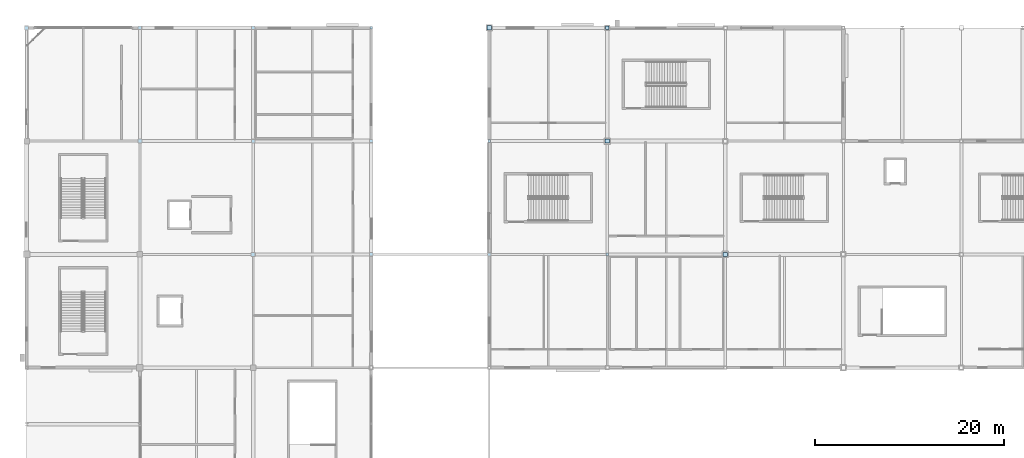
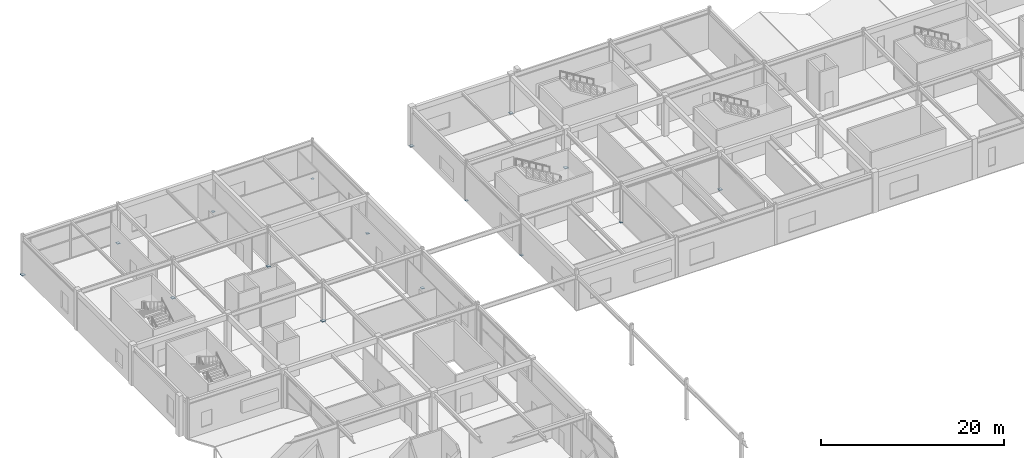
# One storey, part 69 of 105: 16 plates.
"""IFC4 building model written with IfcOpenShell, lengths in metres."""

import ifcopenshell
import ifcopenshell.guid

model = None  # the IFC model being written
_history = None  # IfcOwnerHistory: only IFC2X3 demands one
_inside = {}  # id of a spatial element -> (the spatial element, [elements in it])
_under = {}  # id of a project, library or spatial element -> (it, [spatial elements below it])
_declared = {}  # id of a project -> (the project, [libraries it declares])
_typed = {}  # id of a type object -> (the type object, [elements of that type])
_made_of = {}  # id of a material, layer set ... -> (it, [elements and type objects made of it])


def new_model(schema):
    """Start an empty IFC model of exactly this schema.

    Asked for "IFC4X3", IfcOpenShell would pick the latest addendum, in which some entities
    have other attributes; the version numbers below select the first issue.
    IFC2X3 requires an IfcOwnerHistory on every rooted entity: one is made here for all.
    """
    global model, _history
    if schema == "IFC4X3":
        model = ifcopenshell.file(schema_version=(4, 3, 0, 0))
    else:
        model = ifcopenshell.file(schema=schema)
    _inside.clear()
    _under.clear()
    _declared.clear()
    _typed.clear()
    _made_of.clear()
    _history = None
    if model.schema == "IFC2X3":
        org = make("IfcOrganization", Name="unknown")
        user = make(
            "IfcPersonAndOrganization",
            ThePerson=make("IfcPerson", FamilyName="unknown"),
            TheOrganization=org,
        )
        app = make(
            "IfcApplication",
            ApplicationDeveloper=org,
            Version="unknown",
            ApplicationFullName="unknown",
            ApplicationIdentifier="unknown",
        )
        _history = make(
            "IfcOwnerHistory",
            OwningUser=user,
            OwningApplication=app,
            ChangeAction="ADDED",
            CreationDate=0,
        )
    return model


def make(cls, **values):
    """One entity of the class cls with the attributes given. An attribute that is None is left unset."""
    return model.create_entity(
        cls, **{name: value for name, value in values.items() if value is not None}
    )


def rooted(cls, **values):
    """An entity with a GlobalId (a new one), such as an element, a storey or a relation."""
    return make(cls, GlobalId=ifcopenshell.guid.new(), OwnerHistory=_history, **values)


def si_unit(unit_type, name, prefix=None):
    """IfcSIUnit, for example si_unit("LENGTHUNIT", "METRE", prefix="MILLI")."""
    return make("IfcSIUnit", UnitType=unit_type, Prefix=prefix, Name=name)


def assignment(units):
    """IfcUnitAssignment: the units of a project."""
    return None if units is None else make("IfcUnitAssignment", Units=units)


def point(xyz):
    """IfcCartesianPoint."""
    return None if xyz is None else make("IfcCartesianPoint", Coordinates=xyz)


def direction(xyz):
    """IfcDirection."""
    return None if xyz is None else make("IfcDirection", DirectionRatios=xyz)


def frame(location, z_axis=None, x_axis=None):
    """IfcAxis2Placement3D, a coordinate frame: its origin and axes. An axis left out is left unset."""
    return make(
        "IfcAxis2Placement3D",
        Location=point(location),
        Axis=direction(z_axis),
        RefDirection=direction(x_axis),
    )


def frame_2d(location, x_axis=None):
    """IfcAxis2Placement2D, a coordinate frame in the plane: its origin and x axis."""
    return make(
        "IfcAxis2Placement2D", Location=point(location), RefDirection=direction(x_axis)
    )


def origin():
    """The frame at (0, 0, 0) with its axes left unset."""
    return frame((0.0, 0.0, 0.0))


def origin_2d():
    """The frame at (0, 0) in the plane with its x axis left unset."""
    return frame_2d((0.0, 0.0))


def place(relative_to, where):
    """IfcLocalPlacement: puts the frame where relative to a parent placement (None: the world)."""
    return make(
        "IfcLocalPlacement", PlacementRelTo=relative_to, RelativePlacement=where
    )


def context(
    kind, dimensions, precision=None, world=None, true_north=None, identifier=None
):
    """IfcGeometricRepresentationContext, for example the 3D "Model" context."""
    return make(
        "IfcGeometricRepresentationContext",
        ContextIdentifier=identifier,
        ContextType=kind,
        CoordinateSpaceDimension=dimensions,
        Precision=precision,
        WorldCoordinateSystem=world,
        TrueNorth=true_north,
    )


def subcontext(parent, identifier, kind, view, scale=None):
    """IfcGeometricRepresentationSubContext, for example "Body" below "Model"."""
    return make(
        "IfcGeometricRepresentationSubContext",
        ContextIdentifier=identifier,
        ContextType=kind,
        ParentContext=parent,
        TargetScale=scale,
        TargetView=view,
    )


def project(units=None, contexts=None):
    """IfcProject with its units and contexts."""
    return rooted(
        "IfcProject",
        Name="project",
        RepresentationContexts=contexts,
        UnitsInContext=assignment(units),
    )


def spatial(cls, under=None, at=None, **own):
    """A site, building, storey or space (cls), placed at a placement, below another one or the project."""
    s = rooted(cls, ObjectPlacement=at, **own)
    if under is not None:
        _under.setdefault(under.id(), (under, []))[1].append(s)
    return s


def profile(cls, at=None, kind="AREA", **sizes):
    """A parametric profile (cls). Its sizes go by their IFC names, for example OverallWidth=200.0."""
    return make(cls, ProfileType=kind, Position=at, **sizes)


def rectangle(**sizes):
    """IfcRectangleProfileDef."""
    return profile("IfcRectangleProfileDef", **sizes)


def extrude(swept, where, along, depth):
    """IfcExtrudedAreaSolid: the profile swept, set in the frame where, extruded along a direction by depth."""
    return make(
        "IfcExtrudedAreaSolid",
        SweptArea=swept,
        Position=where,
        ExtrudedDirection=direction(along),
        Depth=depth,
    )


def shape(context_of_items, identifier, shape_type, items):
    """IfcShapeRepresentation: the items that make up one representation, for example the "Body"."""
    return make(
        "IfcShapeRepresentation",
        ContextOfItems=context_of_items,
        RepresentationIdentifier=identifier,
        RepresentationType=shape_type,
        Items=items,
    )


def material(Name=None, Category=None):
    """IfcMaterial."""
    return make("IfcMaterial", Name=Name, Category=Category)


def layer(
    of_material, thickness, ventilated=None, Name=None, Category=None, Priority=None
):
    """IfcMaterialLayer: one layer of a wall or slab, of a material (None: an air gap)."""
    return make(
        "IfcMaterialLayer",
        Material=of_material,
        LayerThickness=thickness,
        IsVentilated=ventilated,
        Name=Name,
        Category=Category,
        Priority=Priority,
    )


def layer_set(layers, Name=None):
    """IfcMaterialLayerSet."""
    return make("IfcMaterialLayerSet", MaterialLayers=layers, LayerSetName=Name)


def made_of(thing, what):
    """Note that an element or type object is made of a material, layer set ...; save() writes the relation."""
    if what is not None:
        _made_of.setdefault(what.id(), (what, []))[1].append(thing)
    return thing


def type_object(cls, material=None, **own):
    """A type object (cls), such as IfcWallType, which elements share."""
    return made_of(rooted(cls, **own), material)


def element(
    cls,
    number,
    at=None,
    inside=None,
    cuts=None,
    type_object=None,
    material=None,
    context=None,
    identifier="Body",
    shape_type=None,
    held_by="IfcProductDefinitionShape",
    body=None,
    shapes=None,
    **own,
):
    """One element of the class cls, such as IfcWall. Its Tag is "e" and its number.

    at: its placement. inside: the storey or other place that contains it. cuts: it is an
    opening in that element (IfcRelVoidsElement). A single representation is given by context,
    identifier, shape_type and body (its items); several are given by shapes. held_by: the class
    of the entity that holds the representations. save() writes the other relations.
    """
    e = rooted(cls, Tag="e%d" % number, ObjectPlacement=at, **own)
    if body is not None:
        shapes = [shape(context, identifier, shape_type, body)]
    if shapes is not None:
        e.Representation = make(held_by, Representations=shapes)
    if inside is not None:
        _inside.setdefault(inside.id(), (inside, []))[1].append(e)
    if cuts is not None:
        rooted(
            "IfcRelVoidsElement", RelatingBuildingElement=cuts, RelatedOpeningElement=e
        )
    if type_object is not None:
        _typed.setdefault(type_object.id(), (type_object, []))[1].append(e)
    return made_of(e, material)


def aggregate(whole, parts):
    """IfcRelAggregates: a whole, such as a stair, and the parts it consists of."""
    return rooted("IfcRelAggregates", RelatingObject=whole, RelatedObjects=parts)


def save(model, path):
    """Write the relations noted so far, then the file.

    IfcRelAggregates (storeys below a building ...), IfcRelContainedInSpatialStructure (elements
    in a storey), IfcRelDefinesByType, IfcRelAssociatesMaterial and IfcRelDeclares: one each for
    every whole, place, type object, material and project.
    """
    for whole, parts in _under.values():
        aggregate(whole, parts)
    for where, things in _inside.values():
        rooted(
            "IfcRelContainedInSpatialStructure",
            RelatedElements=things,
            RelatingStructure=where,
        )
    for kind, things in _typed.values():
        rooted("IfcRelDefinesByType", RelatedObjects=things, RelatingType=kind)
    for what, things in _made_of.values():
        rooted("IfcRelAssociatesMaterial", RelatedObjects=things, RelatingMaterial=what)
    for by, libraries in _declared.values():
        rooted("IfcRelDeclares", RelatingContext=by, RelatedDefinitions=libraries)
    model.write(path)


model = new_model("IFC4")

# Units and contexts
model_context = context("Model", 3, precision=1e-05, world=origin(), true_north=direction((0.0, 1.0)))
body_context = subcontext(model_context, "Body", "Model", "MODEL_VIEW")
ifc_project = project(units=[si_unit("LENGTHUNIT", "METRE"), si_unit("AREAUNIT", "SQUARE_METRE"), si_unit("VOLUMEUNIT", "CUBIC_METRE"), si_unit("PLANEANGLEUNIT", "RADIAN"), si_unit("MASSUNIT", "GRAM", prefix="KILO")], contexts=[model_context])

# Site, building, storey
site_placement = place(None, origin())
site = spatial("IfcSite", under=ifc_project, at=site_placement, CompositionType="ELEMENT")
building_placement = place(site_placement, origin())
building = spatial("IfcBuilding", under=site, at=building_placement, Name="Kazenohara Klinker Stadium", CompositionType="ELEMENT")
storey_placement = place(building_placement, frame((0.0, 0.0, 20.39990234375)))
storey = spatial("IfcBuildingStorey", under=building, at=storey_placement, Name="L04", CompositionType="ELEMENT", Elevation=20.39990234375)

# Plates
ifc_material = material(Name="Steel S355", Category="steel")
ifc_layer_1 = layer(ifc_material, 0.02001953125)
ifc_layer_set_1 = layer_set([ifc_layer_1], Name="Steel S355")
plate_type_1 = type_object("IfcPlateType", Name="PLT-GP01", PredefinedType="USERDEFINED", material=ifc_layer_set_1)
plate_1_placement = place(storey_placement, frame((24.0, 168.0, -0.010009765625), z_axis=(0.0, 0.0, 1.0), x_axis=(1.0, 0.0, 0.0)))
element("IfcPlate", 1, at=plate_1_placement, inside=storey, type_object=plate_type_1, Name="Hollow column end-cap plate GP01 L04 3/Q", ObjectType="GUSSET PLATE", PredefinedType="USERDEFINED", context=body_context, shape_type="SweptSolid", body=[
    extrude(rectangle(XDim=0.340087890625, YDim=0.340087890625, at=origin_2d()), origin(), (0.0, 0.0, 1.0), 0.02001953125),
])
plate_2_placement = place(storey_placement, frame((36.5, 144.0, -0.010009765625), z_axis=(0.0, 0.0, 1.0), x_axis=(1.0, 0.0, 0.0)))
element("IfcPlate", 2, at=plate_2_placement, inside=storey, type_object=plate_type_1, Name="Hollow column end-cap plate GP01 L04 4/N", ObjectType="GUSSET PLATE", PredefinedType="USERDEFINED", context=body_context, shape_type="SweptSolid", body=[
    extrude(rectangle(XDim=0.389892578125, YDim=0.389892578125, at=origin_2d()), origin(), (0.0, 0.0, 1.0), 0.02001953125),
])
plate_3_placement = place(storey_placement, frame((49.0, 156.0, -0.010009765625), z_axis=(0.0, 0.0, 1.0), x_axis=(1.0, 0.0, 0.0)))
element("IfcPlate", 3, at=plate_3_placement, inside=storey, type_object=plate_type_1, Name="Hollow column end-cap plate GP01 L04 5/P", ObjectType="GUSSET PLATE", PredefinedType="USERDEFINED", context=body_context, shape_type="SweptSolid", body=[
    extrude(rectangle(XDim=0.2900390625, YDim=0.2900390625, at=origin_2d()), origin(), (0.0, 0.0, 1.0), 0.02001953125),
])
plate_4_placement = place(storey_placement, frame((49.0, 168.0, -0.010009765625), z_axis=(0.0, 0.0, 1.0), x_axis=(1.0, 0.0, 0.0)))
element("IfcPlate", 4, at=plate_4_placement, inside=storey, type_object=plate_type_1, Name="Hollow column end-cap plate GP01 L04 5/Q", ObjectType="GUSSET PLATE", PredefinedType="USERDEFINED", context=body_context, shape_type="SweptSolid", body=[
    extrude(rectangle(XDim=0.43994140625, YDim=0.43994140625, at=origin_2d()), origin(), (0.0, 0.0, 1.0), 0.02001953125),
])
ifc_layer_2 = layer(ifc_material, 0.02197265625)
ifc_layer_set_2 = layer_set([ifc_layer_2], Name="Steel S355")
plate_type_2 = type_object("IfcPlateType", Name="PLT-GP02", PredefinedType="USERDEFINED", material=ifc_layer_set_2)
for number, where, z_axis, x_axis, name in (
    (5, (0.0, 168.0, -0.010986328125), (0.0, 0.0, 1.0), (1.0, 0.0, 0.0), "Hollow column end-cap plate GP02 L04 1/Q"),
    (6, (12.0, 156.0, -0.010986328125), (0.0, 0.0, 1.0), (1.0, 0.0, 0.0), "Hollow column end-cap plate GP02 L04 2/P"),
):
    element("IfcPlate", number, at=place(storey_placement, frame(where, z_axis=z_axis, x_axis=x_axis)), inside=storey, type_object=plate_type_2, Name=name, ObjectType="GUSSET PLATE", PredefinedType="USERDEFINED", context=body_context, shape_type="SweptSolid", body=[
        extrude(rectangle(XDim=0.43994140625, YDim=0.43994140625, at=origin_2d()), origin(), (0.0, 0.0, 1.0), 0.02197265625),
    ])
plate_5_placement = place(storey_placement, frame((12.0, 168.0, -0.010986328125), z_axis=(0.0, 0.0, 1.0), x_axis=(1.0, 0.0, 0.0)))
element("IfcPlate", 7, at=plate_5_placement, inside=storey, type_object=plate_type_2, Name="Hollow column end-cap plate GP02 L04 2/Q", ObjectType="GUSSET PLATE", PredefinedType="USERDEFINED", context=body_context, shape_type="SweptSolid", body=[
    extrude(rectangle(XDim=0.389892578125, YDim=0.389892578125, at=origin_2d()), origin(), (0.0, 0.0, 1.0), 0.02197265625),
])
plate_6_placement = place(storey_placement, frame((24.0, 144.0, -0.010986328125), z_axis=(0.0, 0.0, 1.0), x_axis=(1.0, 0.0, 0.0)))
element("IfcPlate", 8, at=plate_6_placement, inside=storey, type_object=plate_type_2, Name="Hollow column end-cap plate GP02 L04 3/N", ObjectType="GUSSET PLATE", PredefinedType="USERDEFINED", context=body_context, shape_type="SweptSolid", body=[
    extrude(rectangle(XDim=0.43994140625, YDim=0.43994140625, at=origin_2d()), origin(), (0.0, 0.0, 1.0), 0.02197265625),
])
plate_7_placement = place(storey_placement, frame((24.0, 156.0, -0.010986328125), z_axis=(0.0, 0.0, 1.0), x_axis=(1.0, 0.0, 0.0)))
element("IfcPlate", 9, at=plate_7_placement, inside=storey, type_object=plate_type_2, Name="Hollow column end-cap plate GP02 L04 3/P", ObjectType="GUSSET PLATE", PredefinedType="USERDEFINED", context=body_context, shape_type="SweptSolid", body=[
    extrude(rectangle(XDim=0.389892578125, YDim=0.389892578125, at=origin_2d()), origin(), (0.0, 0.0, 1.0), 0.02197265625),
])
plate_8_placement = place(storey_placement, frame((36.5, 168.0, -0.010986328125), z_axis=(0.0, 0.0, 1.0), x_axis=(1.0, 0.0, 0.0)))
element("IfcPlate", 10, at=plate_8_placement, inside=storey, type_object=plate_type_2, Name="Hollow column end-cap plate GP02 L04 4/Q", ObjectType="GUSSET PLATE", PredefinedType="USERDEFINED", context=body_context, shape_type="SweptSolid", body=[
    extrude(rectangle(XDim=0.2900390625, YDim=0.2900390625, at=origin_2d()), origin(), (0.0, 0.0, 1.0), 0.02197265625),
])
plate_9_placement = place(storey_placement, frame((49.0, 144.0, -0.010986328125), z_axis=(0.0, 0.0, 1.0), x_axis=(1.0, 0.0, 0.0)))
element("IfcPlate", 11, at=plate_9_placement, inside=storey, type_object=plate_type_2, Name="Hollow column end-cap plate GP02 L04 5/N", ObjectType="GUSSET PLATE", PredefinedType="USERDEFINED", context=body_context, shape_type="SweptSolid", body=[
    extrude(rectangle(XDim=0.340087890625, YDim=0.340087890625, at=origin_2d()), origin(), (0.0, 0.0, 1.0), 0.02197265625),
])
plate_10_placement = place(storey_placement, frame((61.5, 168.0, -0.010986328125), z_axis=(0.0, 0.0, 1.0), x_axis=(1.0, 0.0, 0.0)))
element("IfcPlate", 12, at=plate_10_placement, inside=storey, type_object=plate_type_2, Name="Hollow column end-cap plate GP02 L04 6/Q", ObjectType="GUSSET PLATE", PredefinedType="USERDEFINED", context=body_context, shape_type="SweptSolid", body=[
    extrude(rectangle(XDim=0.389892578125, YDim=0.389892578125, at=origin_2d()), origin(), (0.0, 0.0, 1.0), 0.02197265625),
])
ifc_layer_3 = layer(ifc_material, 0.02392578125)
ifc_layer_set_3 = layer_set([ifc_layer_3], Name="Steel S355")
plate_type_3 = type_object("IfcPlateType", Name="PLT-GP03", PredefinedType="USERDEFINED", material=ifc_layer_set_3)
plate_11_placement = place(storey_placement, frame((74.0, 144.0, -0.011962890625), z_axis=(0.0, 0.0, 1.0), x_axis=(1.0, 0.0, 0.0)))
element("IfcPlate", 13, at=plate_11_placement, inside=storey, type_object=plate_type_3, Name="Hollow column end-cap plate GP03 L04 7/N", ObjectType="GUSSET PLATE", PredefinedType="USERDEFINED", context=body_context, shape_type="SweptSolid", body=[
    extrude(rectangle(XDim=0.43994140625, YDim=0.43994140625, at=origin_2d()), origin(), (0.0, 0.0, 1.0), 0.02392578125),
])
ifc_layer_4 = layer(ifc_material, 0.02490234375)
ifc_layer_set_4 = layer_set([ifc_layer_4], Name="Steel S355")
plate_type_4 = type_object("IfcPlateType", Name="PLT-GP04", PredefinedType="USERDEFINED", material=ifc_layer_set_4)
plate_12_placement = place(storey_placement, frame((36.5, 156.0, -0.012451171875), z_axis=(0.0, 0.0, 1.0), x_axis=(1.0, 0.0, 0.0)))
element("IfcPlate", 14, at=plate_12_placement, inside=storey, type_object=plate_type_4, Name="Hollow column end-cap plate GP04 L04 4/P", ObjectType="GUSSET PLATE", PredefinedType="USERDEFINED", context=body_context, shape_type="SweptSolid", body=[
    extrude(rectangle(XDim=0.340087890625, YDim=0.340087890625, at=origin_2d()), origin(), (0.0, 0.0, 1.0), 0.02490234375),
])
plate_13_placement = place(storey_placement, frame((61.5, 144.0, -0.012451171875), z_axis=(0.0, 0.0, 1.0), x_axis=(1.0, 0.0, 0.0)))
element("IfcPlate", 15, at=plate_13_placement, inside=storey, type_object=plate_type_4, Name="Hollow column end-cap plate GP04 L04 6/N", ObjectType="GUSSET PLATE", PredefinedType="USERDEFINED", context=body_context, shape_type="SweptSolid", body=[
    extrude(rectangle(XDim=0.2900390625, YDim=0.2900390625, at=origin_2d()), origin(), (0.0, 0.0, 1.0), 0.02490234375),
])
plate_14_placement = place(storey_placement, frame((61.5, 156.0, -0.012451171875), z_axis=(0.0, 0.0, 1.0), x_axis=(1.0, 0.0, 0.0)))
element("IfcPlate", 16, at=plate_14_placement, inside=storey, type_object=plate_type_4, Name="Hollow column end-cap plate GP04 L04 6/P", ObjectType="GUSSET PLATE", PredefinedType="USERDEFINED", context=body_context, shape_type="SweptSolid", body=[
    extrude(rectangle(XDim=0.43994140625, YDim=0.43994140625, at=origin_2d()), origin(), (0.0, 0.0, 1.0), 0.02490234375),
])

save(model, "model.ifc")
